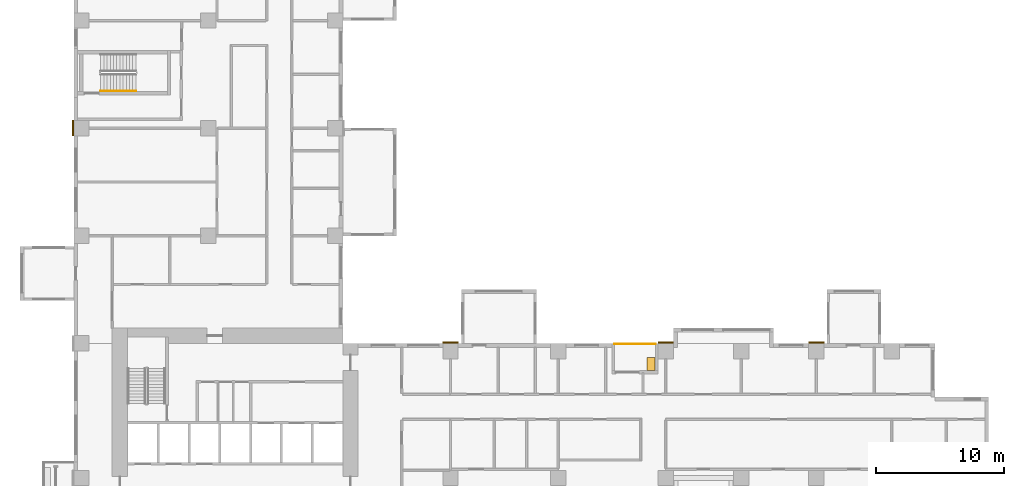
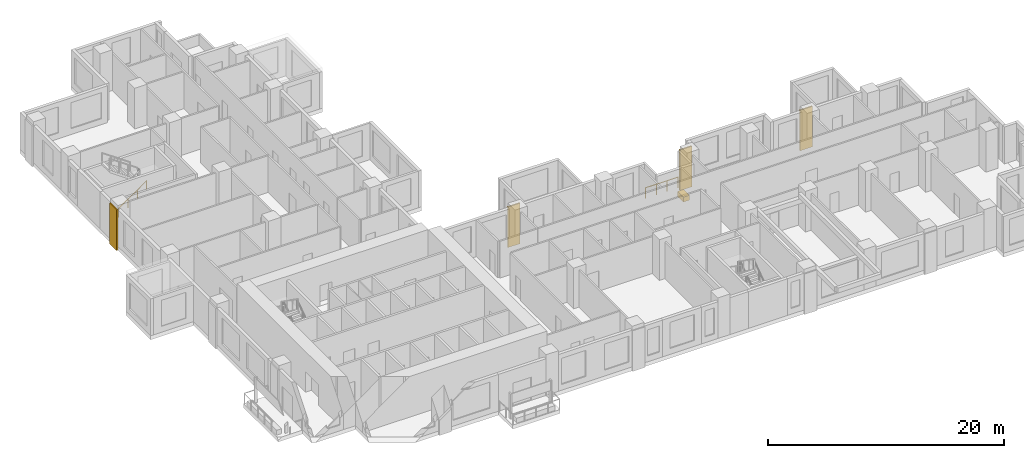
# One storey, part 13 of 14: 5 coverings, 2 railings.
"""IFC4 building model written with IfcOpenShell, lengths in metres."""

import ifcopenshell
import ifcopenshell.guid

model = None  # the IFC model being written
_history = None  # IfcOwnerHistory: only IFC2X3 demands one
_inside = {}  # id of a spatial element -> (the spatial element, [elements in it])
_under = {}  # id of a project, library or spatial element -> (it, [spatial elements below it])
_declared = {}  # id of a project -> (the project, [libraries it declares])
_typed = {}  # id of a type object -> (the type object, [elements of that type])
_made_of = {}  # id of a material, layer set ... -> (it, [elements and type objects made of it])


def new_model(schema):
    """Start an empty IFC model of exactly this schema.

    Asked for "IFC4X3", IfcOpenShell would pick the latest addendum, in which some entities
    have other attributes; the version numbers below select the first issue.
    IFC2X3 requires an IfcOwnerHistory on every rooted entity: one is made here for all.
    """
    global model, _history
    if schema == "IFC4X3":
        model = ifcopenshell.file(schema_version=(4, 3, 0, 0))
    else:
        model = ifcopenshell.file(schema=schema)
    _inside.clear()
    _under.clear()
    _declared.clear()
    _typed.clear()
    _made_of.clear()
    _history = None
    if model.schema == "IFC2X3":
        org = make("IfcOrganization", Name="unknown")
        user = make(
            "IfcPersonAndOrganization",
            ThePerson=make("IfcPerson", FamilyName="unknown"),
            TheOrganization=org,
        )
        app = make(
            "IfcApplication",
            ApplicationDeveloper=org,
            Version="unknown",
            ApplicationFullName="unknown",
            ApplicationIdentifier="unknown",
        )
        _history = make(
            "IfcOwnerHistory",
            OwningUser=user,
            OwningApplication=app,
            ChangeAction="ADDED",
            CreationDate=0,
        )
    return model


def make(cls, **values):
    """One entity of the class cls with the attributes given. An attribute that is None is left unset."""
    return model.create_entity(
        cls, **{name: value for name, value in values.items() if value is not None}
    )


def rooted(cls, **values):
    """An entity with a GlobalId (a new one), such as an element, a storey or a relation."""
    return make(cls, GlobalId=ifcopenshell.guid.new(), OwnerHistory=_history, **values)


def si_unit(unit_type, name, prefix=None):
    """IfcSIUnit, for example si_unit("LENGTHUNIT", "METRE", prefix="MILLI")."""
    return make("IfcSIUnit", UnitType=unit_type, Prefix=prefix, Name=name)


def assignment(units):
    """IfcUnitAssignment: the units of a project."""
    return None if units is None else make("IfcUnitAssignment", Units=units)


def point(xyz):
    """IfcCartesianPoint."""
    return None if xyz is None else make("IfcCartesianPoint", Coordinates=xyz)


def direction(xyz):
    """IfcDirection."""
    return None if xyz is None else make("IfcDirection", DirectionRatios=xyz)


def frame(location, z_axis=None, x_axis=None):
    """IfcAxis2Placement3D, a coordinate frame: its origin and axes. An axis left out is left unset."""
    return make(
        "IfcAxis2Placement3D",
        Location=point(location),
        Axis=direction(z_axis),
        RefDirection=direction(x_axis),
    )


def frame_2d(location, x_axis=None):
    """IfcAxis2Placement2D, a coordinate frame in the plane: its origin and x axis."""
    return make(
        "IfcAxis2Placement2D", Location=point(location), RefDirection=direction(x_axis)
    )


def origin():
    """The frame at (0, 0, 0) with its axes left unset."""
    return frame((0.0, 0.0, 0.0))


def origin_2d():
    """The frame at (0, 0) in the plane with its x axis left unset."""
    return frame_2d((0.0, 0.0))


def place(relative_to, where):
    """IfcLocalPlacement: puts the frame where relative to a parent placement (None: the world)."""
    return make(
        "IfcLocalPlacement", PlacementRelTo=relative_to, RelativePlacement=where
    )


def context(
    kind, dimensions, precision=None, world=None, true_north=None, identifier=None
):
    """IfcGeometricRepresentationContext, for example the 3D "Model" context."""
    return make(
        "IfcGeometricRepresentationContext",
        ContextIdentifier=identifier,
        ContextType=kind,
        CoordinateSpaceDimension=dimensions,
        Precision=precision,
        WorldCoordinateSystem=world,
        TrueNorth=true_north,
    )


def subcontext(parent, identifier, kind, view, scale=None):
    """IfcGeometricRepresentationSubContext, for example "Body" below "Model"."""
    return make(
        "IfcGeometricRepresentationSubContext",
        ContextIdentifier=identifier,
        ContextType=kind,
        ParentContext=parent,
        TargetScale=scale,
        TargetView=view,
    )


def project(units=None, contexts=None):
    """IfcProject with its units and contexts."""
    return rooted(
        "IfcProject",
        Name="project",
        RepresentationContexts=contexts,
        UnitsInContext=assignment(units),
    )


def spatial(cls, under=None, at=None, **own):
    """A site, building, storey or space (cls), placed at a placement, below another one or the project."""
    s = rooted(cls, ObjectPlacement=at, **own)
    if under is not None:
        _under.setdefault(under.id(), (under, []))[1].append(s)
    return s


def profile(cls, at=None, kind="AREA", **sizes):
    """A parametric profile (cls). Its sizes go by their IFC names, for example OverallWidth=200.0."""
    return make(cls, ProfileType=kind, Position=at, **sizes)


def rectangle(**sizes):
    """IfcRectangleProfileDef."""
    return profile("IfcRectangleProfileDef", **sizes)


def circle(**sizes):
    """IfcCircleProfileDef."""
    return profile("IfcCircleProfileDef", **sizes)


def extrude(swept, where, along, depth):
    """IfcExtrudedAreaSolid: the profile swept, set in the frame where, extruded along a direction by depth."""
    return make(
        "IfcExtrudedAreaSolid",
        SweptArea=swept,
        Position=where,
        ExtrudedDirection=direction(along),
        Depth=depth,
    )


def shape(context_of_items, identifier, shape_type, items):
    """IfcShapeRepresentation: the items that make up one representation, for example the "Body"."""
    return make(
        "IfcShapeRepresentation",
        ContextOfItems=context_of_items,
        RepresentationIdentifier=identifier,
        RepresentationType=shape_type,
        Items=items,
    )


def source(mapping_origin, context_of_items, identifier, shape_type, items):
    """IfcRepresentationMap: a shape defined once, which mapped items show again and again."""
    return make(
        "IfcRepresentationMap",
        MappingOrigin=mapping_origin,
        MappedRepresentation=shape(context_of_items, identifier, shape_type, items),
    )


def transform(
    local_origin,
    x_axis=None,
    y_axis=None,
    z_axis=None,
    scale=None,
    scale2=None,
    scale3=None,
    uniform=True,
):
    """IfcCartesianTransformationOperator3D, or its non-uniform kind. x_axis, y_axis, z_axis: its Axis1, 2, 3."""
    if uniform:
        return make(
            "IfcCartesianTransformationOperator3D",
            Axis1=direction(x_axis),
            Axis2=direction(y_axis),
            LocalOrigin=point(local_origin),
            Scale=scale,
            Axis3=direction(z_axis),
        )
    return make(
        "IfcCartesianTransformationOperator3DnonUniform",
        Axis1=direction(x_axis),
        Axis2=direction(y_axis),
        LocalOrigin=point(local_origin),
        Scale=scale,
        Axis3=direction(z_axis),
        Scale2=scale2,
        Scale3=scale3,
    )


def mapped(mapping_source, mapping_target):
    """IfcMappedItem: shows the shape of a source again, moved by a transform."""
    return make(
        "IfcMappedItem", MappingSource=mapping_source, MappingTarget=mapping_target
    )


def material(Name=None, Category=None):
    """IfcMaterial."""
    return make("IfcMaterial", Name=Name, Category=Category)


def made_of(thing, what):
    """Note that an element or type object is made of a material, layer set ...; save() writes the relation."""
    if what is not None:
        _made_of.setdefault(what.id(), (what, []))[1].append(thing)
    return thing


def type_object(cls, material=None, **own):
    """A type object (cls), such as IfcWallType, which elements share."""
    return made_of(rooted(cls, **own), material)


def element(
    cls,
    number,
    at=None,
    inside=None,
    cuts=None,
    type_object=None,
    material=None,
    context=None,
    identifier="Body",
    shape_type=None,
    held_by="IfcProductDefinitionShape",
    body=None,
    shapes=None,
    **own,
):
    """One element of the class cls, such as IfcWall. Its Tag is "e" and its number.

    at: its placement. inside: the storey or other place that contains it. cuts: it is an
    opening in that element (IfcRelVoidsElement). A single representation is given by context,
    identifier, shape_type and body (its items); several are given by shapes. held_by: the class
    of the entity that holds the representations. save() writes the other relations.
    """
    e = rooted(cls, Tag="e%d" % number, ObjectPlacement=at, **own)
    if body is not None:
        shapes = [shape(context, identifier, shape_type, body)]
    if shapes is not None:
        e.Representation = make(held_by, Representations=shapes)
    if inside is not None:
        _inside.setdefault(inside.id(), (inside, []))[1].append(e)
    if cuts is not None:
        rooted(
            "IfcRelVoidsElement", RelatingBuildingElement=cuts, RelatedOpeningElement=e
        )
    if type_object is not None:
        _typed.setdefault(type_object.id(), (type_object, []))[1].append(e)
    return made_of(e, material)


def aggregate(whole, parts):
    """IfcRelAggregates: a whole, such as a stair, and the parts it consists of."""
    return rooted("IfcRelAggregates", RelatingObject=whole, RelatedObjects=parts)


def save(model, path):
    """Write the relations noted so far, then the file.

    IfcRelAggregates (storeys below a building ...), IfcRelContainedInSpatialStructure (elements
    in a storey), IfcRelDefinesByType, IfcRelAssociatesMaterial and IfcRelDeclares: one each for
    every whole, place, type object, material and project.
    """
    for whole, parts in _under.values():
        aggregate(whole, parts)
    for where, things in _inside.values():
        rooted(
            "IfcRelContainedInSpatialStructure",
            RelatedElements=things,
            RelatingStructure=where,
        )
    for kind, things in _typed.values():
        rooted("IfcRelDefinesByType", RelatedObjects=things, RelatingType=kind)
    for what, things in _made_of.values():
        rooted("IfcRelAssociatesMaterial", RelatedObjects=things, RelatingMaterial=what)
    for by, libraries in _declared.values():
        rooted("IfcRelDeclares", RelatingContext=by, RelatedDefinitions=libraries)
    model.write(path)


model = new_model("IFC4")

# Units and contexts
model_context = context("Model", 3, precision=1e-05, world=origin(), true_north=direction((0.0, 1.0)))
body_context = subcontext(model_context, "Body", "Model", "MODEL_VIEW")
ifc_project = project(units=[si_unit("LENGTHUNIT", "METRE"), si_unit("AREAUNIT", "SQUARE_METRE"), si_unit("VOLUMEUNIT", "CUBIC_METRE"), si_unit("PLANEANGLEUNIT", "RADIAN"), si_unit("MASSUNIT", "GRAM", prefix="KILO")], contexts=[model_context])

# Site, building, storey
site_placement = place(None, origin())
site = spatial("IfcSite", under=ifc_project, at=site_placement, CompositionType="ELEMENT")
building_placement = place(site_placement, origin())
building = spatial("IfcBuilding", under=site, at=building_placement, Name="Aurelian Terraces", CompositionType="ELEMENT")
storey_placement = place(building_placement, frame((0.0, 0.0, 90.9)))
storey = spatial("IfcBuildingStorey", under=building, at=storey_placement, Name="L19", CompositionType="ELEMENT", Elevation=90.9)

# Railing
ifc_material_1 = material(Name="Anodised aluminium", Category="aluminium")
railing_type_1 = type_object("IfcRailingType", Name="GUARD-1100", PredefinedType="GUARDRAIL", material=ifc_material_1)
railing_1_placement = place(storey_placement, frame((45.4, 20.94, 0.05)))
element("IfcRailing", 1, at=railing_1_placement, inside=storey, type_object=railing_type_1, Name="Loggia guard L19 F07.22", PredefinedType="GUARDRAIL", context=body_context, shape_type="SweptSolid", body=[
    extrude(circle(Radius=0.024, at=origin_2d()), frame((0.0, 0.0, 1.076), z_axis=(-1.0, 0.0, 0.0), x_axis=(0.0, -1.0, 0.0)), (0.0, 0.0, 1.0), 3.2),
    extrude(circle(Radius=0.021, at=origin_2d()), origin(), (0.0, 0.0, 1.0), 1.052),
    extrude(circle(Radius=0.021, at=origin_2d()), frame((-1.0667, 0.0, 0.0)), (0.0, 0.0, 1.0), 1.052),
    extrude(circle(Radius=0.021, at=origin_2d()), frame((-2.1333, 0.0, 0.0)), (0.0, 0.0, 1.0), 1.052),
    extrude(circle(Radius=0.021, at=origin_2d()), frame((-3.2, 0.0, 0.0)), (0.0, 0.0, 1.0), 1.052),
])

# Coverings
ifc_material_2 = material(Name="Terracotta planter with planting soil", Category="masonry")
covering_type_1 = type_object("IfcCoveringType", Name="PLANTER-TROUGH", PredefinedType="USERDEFINED", material=ifc_material_2)
covering_1_placement = place(storey_placement, frame((45.05, 19.4, 0.0), z_axis=(0.0, 0.0, 1.0), x_axis=(1.0, 0.0, 0.0)))
element("IfcCovering", 2, at=covering_1_placement, inside=storey, type_object=covering_type_1, Name="PLANTER L19 L19-F07-22", ObjectType="PLANTER", PredefinedType="USERDEFINED", context=body_context, shape_type="SweptSolid", body=[
    extrude(rectangle(XDim=0.6, YDim=1.0, at=origin_2d()), origin(), (0.0, 0.0, 1.0), 0.5),
])
ifc_material_3 = material(Name="Terracotta rainscreen cladding relief", Category="masonry")
covering_type_2 = type_object("IfcCoveringType", Name="BAGUETTE-TC", PredefinedType="CLADDING", material=ifc_material_3)
shared_shape_1 = source(origin(), body_context, "Body", "SweptSolid", [
    extrude(rectangle(XDim=1.2, YDim=0.12, at=origin_2d()), origin(), (0.0, 0.0, 1.0), 4.2),
])
for number, where, z_axis, x_axis, name in (
    (3, (29.4, 21.06, -0.4), (0.0, 0.0, 1.0), (1.0, 0.0, 0.0), "BAGUETTE pier L19 6"),
    (4, (46.2, 21.06, -0.4), (0.0, 0.0, 1.0), (1.0, 0.0, 0.0), "BAGUETTE pier L19 7"),
    (5, (57.96, 21.06, -0.4), (0.0, 0.0, 1.0), (1.0, 0.0, 0.0), "BAGUETTE pier L19 8"),
):
    element("IfcCovering", number, at=place(storey_placement, frame(where, z_axis=z_axis, x_axis=x_axis)), inside=storey, type_object=covering_type_2, Name=name, PredefinedType="CLADDING", context=body_context, shape_type="MappedRepresentation", body=[
        mapped(shared_shape_1, transform((0.0, 0.0, 0.0), scale=1.0)),
    ])
shared_shape_2 = source(origin(), body_context, "Body", "SweptSolid", [
    extrude(rectangle(XDim=0.12, YDim=1.2, at=origin_2d()), origin(), (0.0, 0.0, 1.0), 4.2),
])
covering_2_placement = place(storey_placement, frame((-0.06, 37.8, -0.4), z_axis=(0.0, 0.0, 1.0), x_axis=(1.0, 0.0, 0.0)))
element("IfcCovering", 6, at=covering_2_placement, inside=storey, type_object=covering_type_2, Name="BAGUETTE pier L19 10", PredefinedType="CLADDING", context=body_context, shape_type="MappedRepresentation", body=[
    mapped(shared_shape_2, transform((0.0, 0.0, 0.0), scale=1.0)),
])

# Railing
ifc_material_4 = material(Name="Stainless steel", Category="steel")
railing_type_2 = type_object("IfcRailingType", Name="Stair handrail", PredefinedType="HANDRAIL", material=ifc_material_4)
shared_shape_3 = source(origin(), body_context, "Body", "SweptSolid", [
    extrude(circle(Radius=0.024, at=origin_2d()), frame((0.0, 0.0, 0.876), z_axis=(0.819231920519, 0.0, 0.573462344363), x_axis=(0.0, 1.0, 0.0)), (0.0, 0.0, 1.0), 3.3568),
    extrude(circle(Radius=0.021, at=origin_2d()), origin(), (0.0, 0.0, 1.0), 0.852),
    extrude(circle(Radius=0.021, at=origin_2d()), frame((0.9167, 0.0, 0.6417)), (0.0, 0.0, 1.0), 0.852),
    extrude(circle(Radius=0.021, at=origin_2d()), frame((1.8333, 0.0, 1.2833)), (0.0, 0.0, 1.0), 0.852),
    extrude(circle(Radius=0.021, at=origin_2d()), frame((2.75, 0.0, 1.925)), (0.0, 0.0, 1.0), 0.852),
])
railing_2_placement = place(storey_placement, frame((2.1, 40.7, 0.175)))
element("IfcRailing", 7, at=railing_2_placement, inside=storey, type_object=railing_type_2, Name="L19 S3 stair handrail 1", PredefinedType="HANDRAIL", context=body_context, shape_type="MappedRepresentation", body=[
    mapped(shared_shape_3, transform((0.0, 0.0, 0.0), scale=1.0)),
])

save(model, "model.ifc")
